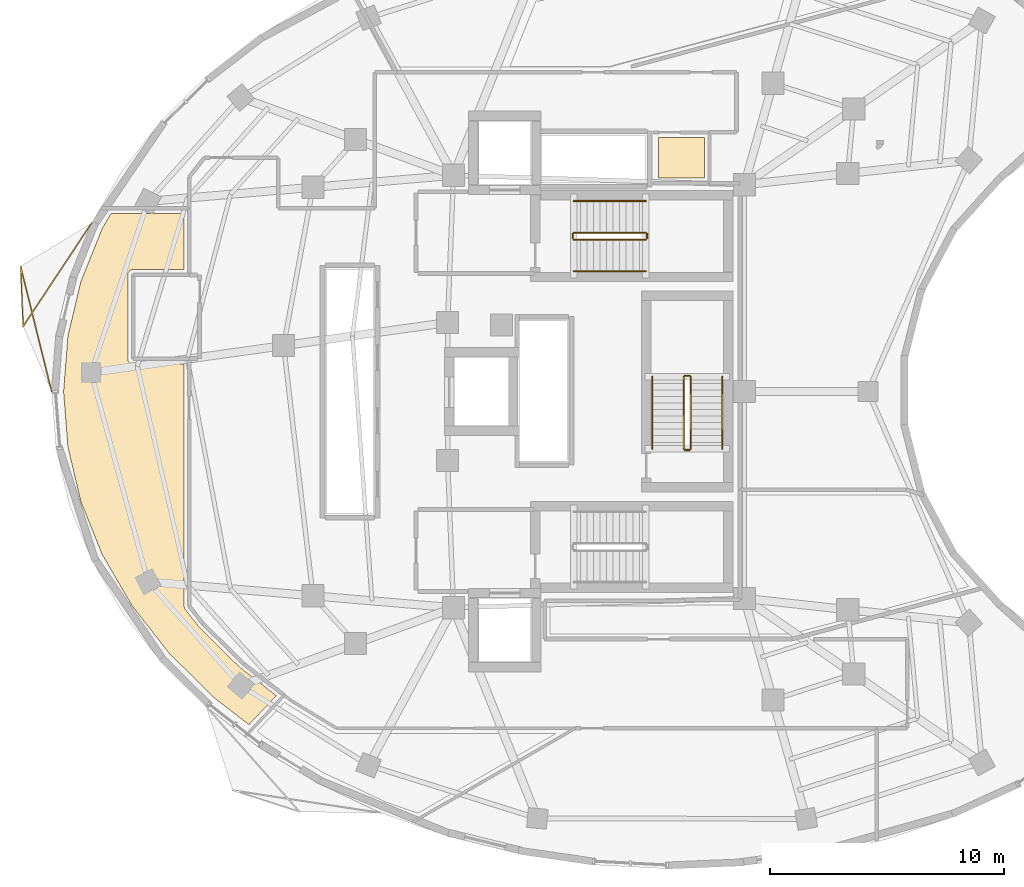
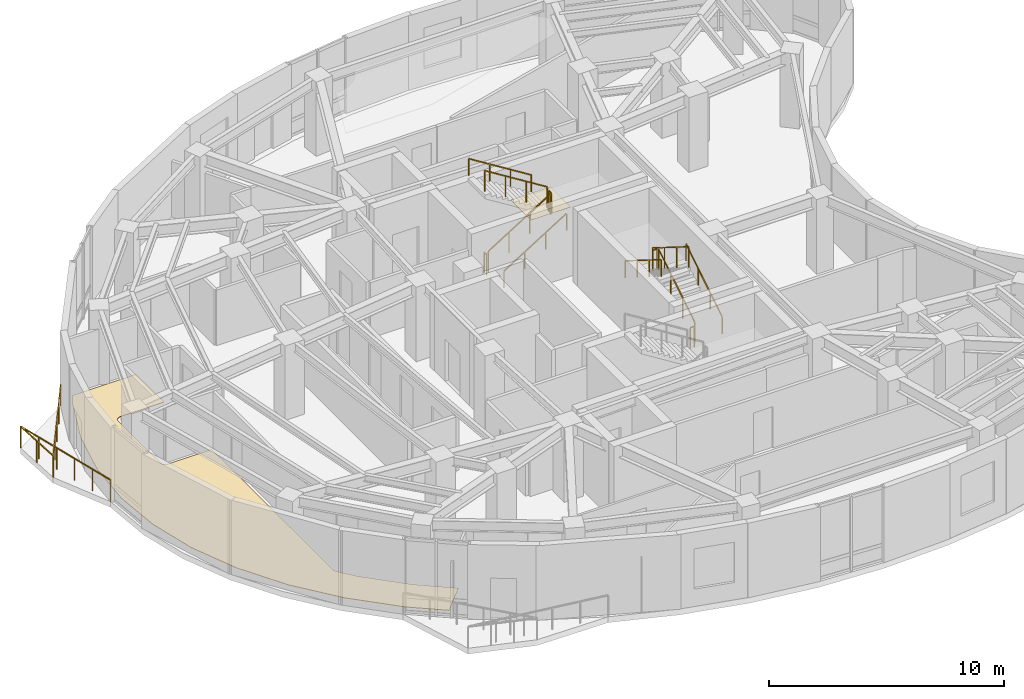
# One storey, part 12 of 13: 13 railings, 2 coverings.
"""IFC4 building model written with IfcOpenShell, lengths in metres."""

import ifcopenshell
import ifcopenshell.guid

model = None  # the IFC model being written
_history = None  # IfcOwnerHistory: only IFC2X3 demands one
_inside = {}  # id of a spatial element -> (the spatial element, [elements in it])
_under = {}  # id of a project, library or spatial element -> (it, [spatial elements below it])
_declared = {}  # id of a project -> (the project, [libraries it declares])
_typed = {}  # id of a type object -> (the type object, [elements of that type])
_made_of = {}  # id of a material, layer set ... -> (it, [elements and type objects made of it])


def new_model(schema):
    """Start an empty IFC model of exactly this schema.

    Asked for "IFC4X3", IfcOpenShell would pick the latest addendum, in which some entities
    have other attributes; the version numbers below select the first issue.
    IFC2X3 requires an IfcOwnerHistory on every rooted entity: one is made here for all.
    """
    global model, _history
    if schema == "IFC4X3":
        model = ifcopenshell.file(schema_version=(4, 3, 0, 0))
    else:
        model = ifcopenshell.file(schema=schema)
    _inside.clear()
    _under.clear()
    _declared.clear()
    _typed.clear()
    _made_of.clear()
    _history = None
    if model.schema == "IFC2X3":
        org = make("IfcOrganization", Name="unknown")
        user = make(
            "IfcPersonAndOrganization",
            ThePerson=make("IfcPerson", FamilyName="unknown"),
            TheOrganization=org,
        )
        app = make(
            "IfcApplication",
            ApplicationDeveloper=org,
            Version="unknown",
            ApplicationFullName="unknown",
            ApplicationIdentifier="unknown",
        )
        _history = make(
            "IfcOwnerHistory",
            OwningUser=user,
            OwningApplication=app,
            ChangeAction="ADDED",
            CreationDate=0,
        )
    return model


def make(cls, **values):
    """One entity of the class cls with the attributes given. An attribute that is None is left unset."""
    return model.create_entity(
        cls, **{name: value for name, value in values.items() if value is not None}
    )


def rooted(cls, **values):
    """An entity with a GlobalId (a new one), such as an element, a storey or a relation."""
    return make(cls, GlobalId=ifcopenshell.guid.new(), OwnerHistory=_history, **values)


def si_unit(unit_type, name, prefix=None):
    """IfcSIUnit, for example si_unit("LENGTHUNIT", "METRE", prefix="MILLI")."""
    return make("IfcSIUnit", UnitType=unit_type, Prefix=prefix, Name=name)


def assignment(units):
    """IfcUnitAssignment: the units of a project."""
    return None if units is None else make("IfcUnitAssignment", Units=units)


def point(xyz):
    """IfcCartesianPoint."""
    return None if xyz is None else make("IfcCartesianPoint", Coordinates=xyz)


def direction(xyz):
    """IfcDirection."""
    return None if xyz is None else make("IfcDirection", DirectionRatios=xyz)


def frame(location, z_axis=None, x_axis=None):
    """IfcAxis2Placement3D, a coordinate frame: its origin and axes. An axis left out is left unset."""
    return make(
        "IfcAxis2Placement3D",
        Location=point(location),
        Axis=direction(z_axis),
        RefDirection=direction(x_axis),
    )


def frame_2d(location, x_axis=None):
    """IfcAxis2Placement2D, a coordinate frame in the plane: its origin and x axis."""
    return make(
        "IfcAxis2Placement2D", Location=point(location), RefDirection=direction(x_axis)
    )


def origin():
    """The frame at (0, 0, 0) with its axes left unset."""
    return frame((0.0, 0.0, 0.0))


def origin_2d():
    """The frame at (0, 0) in the plane with its x axis left unset."""
    return frame_2d((0.0, 0.0))


def place(relative_to, where):
    """IfcLocalPlacement: puts the frame where relative to a parent placement (None: the world)."""
    return make(
        "IfcLocalPlacement", PlacementRelTo=relative_to, RelativePlacement=where
    )


def context(
    kind, dimensions, precision=None, world=None, true_north=None, identifier=None
):
    """IfcGeometricRepresentationContext, for example the 3D "Model" context."""
    return make(
        "IfcGeometricRepresentationContext",
        ContextIdentifier=identifier,
        ContextType=kind,
        CoordinateSpaceDimension=dimensions,
        Precision=precision,
        WorldCoordinateSystem=world,
        TrueNorth=true_north,
    )


def subcontext(parent, identifier, kind, view, scale=None):
    """IfcGeometricRepresentationSubContext, for example "Body" below "Model"."""
    return make(
        "IfcGeometricRepresentationSubContext",
        ContextIdentifier=identifier,
        ContextType=kind,
        ParentContext=parent,
        TargetScale=scale,
        TargetView=view,
    )


def project(units=None, contexts=None):
    """IfcProject with its units and contexts."""
    return rooted(
        "IfcProject",
        Name="project",
        RepresentationContexts=contexts,
        UnitsInContext=assignment(units),
    )


def spatial(cls, under=None, at=None, **own):
    """A site, building, storey or space (cls), placed at a placement, below another one or the project."""
    s = rooted(cls, ObjectPlacement=at, **own)
    if under is not None:
        _under.setdefault(under.id(), (under, []))[1].append(s)
    return s


def polyline(points):
    """IfcPolyline through the points."""
    return make("IfcPolyline", Points=[point(p) for p in points])


def profile(cls, at=None, kind="AREA", **sizes):
    """A parametric profile (cls). Its sizes go by their IFC names, for example OverallWidth=200.0."""
    return make(cls, ProfileType=kind, Position=at, **sizes)


def rectangle(**sizes):
    """IfcRectangleProfileDef."""
    return profile("IfcRectangleProfileDef", **sizes)


def outline(outer, holes=None, kind="AREA"):
    """IfcArbitraryClosedProfileDef: a profile drawn as a closed curve; with holes, ...WithVoids."""
    if holes is None:
        return make("IfcArbitraryClosedProfileDef", ProfileType=kind, OuterCurve=outer)
    return make(
        "IfcArbitraryProfileDefWithVoids",
        ProfileType=kind,
        OuterCurve=outer,
        InnerCurves=holes,
    )


def extrude(swept, where, along, depth):
    """IfcExtrudedAreaSolid: the profile swept, set in the frame where, extruded along a direction by depth."""
    return make(
        "IfcExtrudedAreaSolid",
        SweptArea=swept,
        Position=where,
        ExtrudedDirection=direction(along),
        Depth=depth,
    )


def shape(context_of_items, identifier, shape_type, items):
    """IfcShapeRepresentation: the items that make up one representation, for example the "Body"."""
    return make(
        "IfcShapeRepresentation",
        ContextOfItems=context_of_items,
        RepresentationIdentifier=identifier,
        RepresentationType=shape_type,
        Items=items,
    )


def material(Name=None, Category=None):
    """IfcMaterial."""
    return make("IfcMaterial", Name=Name, Category=Category)


def layer(
    of_material, thickness, ventilated=None, Name=None, Category=None, Priority=None
):
    """IfcMaterialLayer: one layer of a wall or slab, of a material (None: an air gap)."""
    return make(
        "IfcMaterialLayer",
        Material=of_material,
        LayerThickness=thickness,
        IsVentilated=ventilated,
        Name=Name,
        Category=Category,
        Priority=Priority,
    )


def layer_set(layers, Name=None):
    """IfcMaterialLayerSet."""
    return make("IfcMaterialLayerSet", MaterialLayers=layers, LayerSetName=Name)


def made_of(thing, what):
    """Note that an element or type object is made of a material, layer set ...; save() writes the relation."""
    if what is not None:
        _made_of.setdefault(what.id(), (what, []))[1].append(thing)
    return thing


def type_object(cls, material=None, **own):
    """A type object (cls), such as IfcWallType, which elements share."""
    return made_of(rooted(cls, **own), material)


def element(
    cls,
    number,
    at=None,
    inside=None,
    cuts=None,
    type_object=None,
    material=None,
    context=None,
    identifier="Body",
    shape_type=None,
    held_by="IfcProductDefinitionShape",
    body=None,
    shapes=None,
    **own,
):
    """One element of the class cls, such as IfcWall. Its Tag is "e" and its number.

    at: its placement. inside: the storey or other place that contains it. cuts: it is an
    opening in that element (IfcRelVoidsElement). A single representation is given by context,
    identifier, shape_type and body (its items); several are given by shapes. held_by: the class
    of the entity that holds the representations. save() writes the other relations.
    """
    e = rooted(cls, Tag="e%d" % number, ObjectPlacement=at, **own)
    if body is not None:
        shapes = [shape(context, identifier, shape_type, body)]
    if shapes is not None:
        e.Representation = make(held_by, Representations=shapes)
    if inside is not None:
        _inside.setdefault(inside.id(), (inside, []))[1].append(e)
    if cuts is not None:
        rooted(
            "IfcRelVoidsElement", RelatingBuildingElement=cuts, RelatedOpeningElement=e
        )
    if type_object is not None:
        _typed.setdefault(type_object.id(), (type_object, []))[1].append(e)
    return made_of(e, material)


def aggregate(whole, parts):
    """IfcRelAggregates: a whole, such as a stair, and the parts it consists of."""
    return rooted("IfcRelAggregates", RelatingObject=whole, RelatedObjects=parts)


def save(model, path):
    """Write the relations noted so far, then the file.

    IfcRelAggregates (storeys below a building ...), IfcRelContainedInSpatialStructure (elements
    in a storey), IfcRelDefinesByType, IfcRelAssociatesMaterial and IfcRelDeclares: one each for
    every whole, place, type object, material and project.
    """
    for whole, parts in _under.values():
        aggregate(whole, parts)
    for where, things in _inside.values():
        rooted(
            "IfcRelContainedInSpatialStructure",
            RelatedElements=things,
            RelatingStructure=where,
        )
    for kind, things in _typed.values():
        rooted("IfcRelDefinesByType", RelatedObjects=things, RelatingType=kind)
    for what, things in _made_of.values():
        rooted("IfcRelAssociatesMaterial", RelatedObjects=things, RelatingMaterial=what)
    for by, libraries in _declared.values():
        rooted("IfcRelDeclares", RelatingContext=by, RelatedDefinitions=libraries)
    model.write(path)


model = new_model("IFC4")

# Units and contexts
model_context = context("Model", 3, precision=1e-05, world=origin(), true_north=direction((0.0, 1.0)))
body_context = subcontext(model_context, "Body", "Model", "MODEL_VIEW")
ifc_project = project(units=[si_unit("LENGTHUNIT", "METRE"), si_unit("AREAUNIT", "SQUARE_METRE"), si_unit("VOLUMEUNIT", "CUBIC_METRE"), si_unit("PLANEANGLEUNIT", "RADIAN"), si_unit("MASSUNIT", "GRAM", prefix="KILO")], contexts=[model_context])

# Site, building, storey
site_placement = place(None, origin())
site = spatial("IfcSite", under=ifc_project, at=site_placement, CompositionType="ELEMENT")
building_placement = place(site_placement, origin())
building = spatial("IfcBuilding", under=site, at=building_placement, Name="Korentha Bioscience Tower", CompositionType="ELEMENT")
storey_placement = place(building_placement, frame((0.0, 0.0, 273.0)))
storey = spatial("IfcBuildingStorey", under=building, at=storey_placement, Name="L63", CompositionType="ELEMENT", Elevation=273.0)

# Covering
ifc_material_1 = material(Name="Vitrified Porcelain Tile", Category="ceramic")
ifc_layer_1 = layer(ifc_material_1, 0.014892578125, Name="Vitrified Porcelain Tile")
ifc_layer_set_1 = layer_set([ifc_layer_1], Name="Vitrified Porcelain Tile (FL-CER)")
covering_type_1 = type_object("IfcCoveringType", Name="Anti-Slip Ceramic Wet-Room Tile Flooring 15", PredefinedType="FLOORING", material=ifc_layer_set_1)
covering_1_placement = place(storey_placement, origin())
element("IfcCovering", 1, at=covering_1_placement, inside=storey, type_object=covering_type_1, Name="L63 Accessible Staff WC Floor Finish", PredefinedType="FLOORING", context=body_context, shape_type="SweptSolid", body=[
    extrude(outline(polyline([(33.8701171875, 36.1298828125), (33.8701171875, 37.8701171875), (35.830078125, 37.8701171875), (35.830078125, 36.1298828125), (33.8701171875, 36.1298828125)])), origin(), (0.0, 0.0, 1.0), 0.014892578125),
])

# Railings
ifc_material_2 = material(Name="Stainless Steel 304", Category="steel")
railing_type_1 = type_object("IfcRailingType", Name="Brushed Stainless Stair Handrail 900", PredefinedType="HANDRAIL", material=ifc_material_2)
railing_1_placement = place(storey_placement, frame((30.25, 32.14990234375, 0.175048828125)))
element("IfcRailing", 2, at=railing_1_placement, inside=storey, type_object=railing_type_1, Name="L63 ST-1 stair handrail 1", PredefinedType="HANDRAIL", context=body_context, shape_type="SweptSolid", body=[
    extrude(rectangle(XDim=0.048095703125, YDim=0.048095703125, at=origin_2d()), frame((0.0, 0.0, 0.8759765625), z_axis=(0.847998304005, 0.0, 0.529998940003), x_axis=(0.0, 1.0, 0.0)), (0.0, 0.0, 1.0), 3.632080078125),
    extrude(rectangle(XDim=0.0419921875, YDim=0.0419921875, at=origin_2d()), origin(), (0.0, 0.0, 1.0), 0.851806640625),
    extrude(rectangle(XDim=0.0419921875, YDim=0.0419921875, at=origin_2d()), frame((1.026611328125, 0.0, 0.6416015625)), (0.0, 0.0, 1.0), 0.851806640625),
    extrude(rectangle(XDim=0.0419921875, YDim=0.0419921875, at=origin_2d()), frame((2.053466796875, 0.0, 1.283447265625)), (0.0, 0.0, 1.0), 0.851806640625),
    extrude(rectangle(XDim=0.0419921875, YDim=0.0419921875, at=origin_2d()), frame((3.080078125, 0.0, 1.925048828125)), (0.0, 0.0, 1.0), 0.851806640625),
])
railing_2_placement = place(storey_placement, frame((33.330078125, 35.14990234375, 2.27490234375)))
element("IfcRailing", 3, at=railing_2_placement, inside=storey, type_object=railing_type_1, Name="L63 ST-1 stair handrail 2", PredefinedType="HANDRAIL", context=body_context, shape_type="SweptSolid", body=[
    extrude(rectangle(XDim=0.048095703125, YDim=0.048095703125, at=origin_2d()), frame((0.0, 0.0, 0.8759765625), z_axis=(-0.847998304005, 0.0, 0.529998940003), x_axis=(0.0, -1.0, 0.0)), (0.0, 0.0, 1.0), 3.632080078125),
    extrude(rectangle(XDim=0.0419921875, YDim=0.0419921875, at=origin_2d()), origin(), (0.0, 0.0, 1.0), 0.851806640625),
    extrude(rectangle(XDim=0.0419921875, YDim=0.0419921875, at=origin_2d()), frame((-1.026611328125, 0.0, 0.6416015625)), (0.0, 0.0, 1.0), 0.851806640625),
    extrude(rectangle(XDim=0.0419921875, YDim=0.0419921875, at=origin_2d()), frame((-2.053466796875, 0.0, 1.283447265625)), (0.0, 0.0, 1.0), 0.851806640625),
    extrude(rectangle(XDim=0.0419921875, YDim=0.0419921875, at=origin_2d()), frame((-3.080078125, 0.0, 1.925048828125)), (0.0, 0.0, 1.0), 0.851806640625),
])
railing_3_placement = place(storey_placement, frame((36.60009765625, 24.550048828125, 0.175048828125)))
element("IfcRailing", 4, at=railing_3_placement, inside=storey, type_object=railing_type_1, Name="L63 ST-3 stair handrail 1", PredefinedType="HANDRAIL", context=body_context, shape_type="SweptSolid", body=[
    extrude(rectangle(XDim=0.048095703125, YDim=0.048095703125, at=origin_2d()), frame((0.0, 0.0, 0.8759765625), z_axis=(0.0, 0.847979421464, 0.530029150871), x_axis=(-1.0, 0.0, 0.0)), (0.0, 0.0, 1.0), 3.632080078125),
    extrude(rectangle(XDim=0.0419921875, YDim=0.0419921875, at=origin_2d()), origin(), (0.0, 0.0, 1.0), 0.851806640625),
    extrude(rectangle(XDim=0.0419921875, YDim=0.0419921875, at=origin_2d()), frame((0.0, 1.026611328125, 0.6416015625)), (0.0, 0.0, 1.0), 0.851806640625),
    extrude(rectangle(XDim=0.0419921875, YDim=0.0419921875, at=origin_2d()), frame((0.0, 2.05322265625, 1.283447265625)), (0.0, 0.0, 1.0), 0.851806640625),
    extrude(rectangle(XDim=0.0419921875, YDim=0.0419921875, at=origin_2d()), frame((0.0, 3.079833984375, 1.925048828125)), (0.0, 0.0, 1.0), 0.851806640625),
])
railing_4_placement = place(storey_placement, frame((33.60009765625, 27.6298828125, 2.27490234375)))
element("IfcRailing", 5, at=railing_4_placement, inside=storey, type_object=railing_type_1, Name="L63 ST-3 stair handrail 2", PredefinedType="HANDRAIL", context=body_context, shape_type="SweptSolid", body=[
    extrude(rectangle(XDim=0.048095703125, YDim=0.048095703125, at=origin_2d()), frame((0.0, 0.0, 0.8759765625), z_axis=(0.0, -0.847979421464, 0.530029150871), x_axis=(1.0, 0.0, 0.0)), (0.0, 0.0, 1.0), 3.632080078125),
    extrude(rectangle(XDim=0.0419921875, YDim=0.0419921875, at=origin_2d()), origin(), (0.0, 0.0, 1.0), 0.851806640625),
    extrude(rectangle(XDim=0.0419921875, YDim=0.0419921875, at=origin_2d()), frame((0.0, -1.026611328125, 0.6416015625)), (0.0, 0.0, 1.0), 0.851806640625),
    extrude(rectangle(XDim=0.0419921875, YDim=0.0419921875, at=origin_2d()), frame((0.0, -2.05322265625, 1.283447265625)), (0.0, 0.0, 1.0), 0.851806640625),
    extrude(rectangle(XDim=0.0419921875, YDim=0.0419921875, at=origin_2d()), frame((0.0, -3.079833984375, 1.925048828125)), (0.0, 0.0, 1.0), 0.851806640625),
])

# Covering
ifc_material_3 = material(Name="Honed Travertine Limestone", Category="masonry")
ifc_layer_2 = layer(ifc_material_3, 0.02490234375, Name="Honed Travertine Limestone")
ifc_layer_set_2 = layer_set([ifc_layer_2], Name="Honed Travertine Limestone (FL-STN)")
covering_type_2 = type_object("IfcCoveringType", Name="Honed Travertine Lobby Stone Flooring 25", PredefinedType="FLOORING", material=ifc_layer_set_2)
covering_2_placement = place(storey_placement, origin())
element("IfcCovering", 6, at=covering_2_placement, inside=storey, type_object=covering_type_2, Name="L63 Sky-Lobby Passenger Transfer Concourse 07 Floor Finish", PredefinedType="FLOORING", context=body_context, shape_type="SweptSolid", body=[
    extrude(outline(polyline([(8.606201171875, 29.369140625), (9.160400390625, 31.70654296875), (10.076904296875, 33.9794921875), (10.447265625, 34.615966796875), (13.570068359375, 34.615966796875), (13.570068359375, 32.22998046875), (11.38818359375, 32.229736328125), (11.2626953125, 32.184326171875), (11.18359375, 32.077880859375), (11.169921875, 32.0), (11.17236328125, 28.36669921875), (11.1923828125, 28.30126953125), (11.2451171875, 28.22998046875), (11.302001953125, 28.19189453125), (11.38818359375, 28.17041015625), (13.570068359375, 28.169921875), (13.572509765625, 17.802001953125), (13.612548828125, 17.701904296875), (14.21923828125, 16.926025390625), (15.97265625, 15.193115234375), (17.52294921875, 13.989990234375), (16.348876953125, 12.750244140625), (14.860595703125, 13.902099609375), (12.9462890625, 15.79345703125), (11.344482421875, 17.8427734375), (10.076904296875, 20.02001953125), (9.160400390625, 22.293212890625), (8.606201171875, 24.630615234375), (8.4208984375, 26.995361328125), (8.606201171875, 29.369140625)])), origin(), (0.0, 0.0, 1.0), 0.02490234375),
])

# Railings
ifc_material_4 = material(Name="Laminated Tempered Safety Glass", Category="glass")
railing_type_2 = type_object("IfcRailingType", Name="Laminated Glass Balcony Guardrail 1150", PredefinedType="BALUSTRADE", material=ifc_material_4)
railing_5_placement = place(storey_placement, frame((9.61767578125, 34.20458984375, 0.0)))
element("IfcRailing", 7, at=railing_5_placement, inside=storey, type_object=railing_type_2, Name="L63 Balcony Guardrail 02", PredefinedType="BALUSTRADE", context=body_context, shape_type="SweptSolid", body=[
    extrude(rectangle(XDim=0.048095703125, YDim=0.048095703125, at=origin_2d()), frame((0.0, 0.0, 1.1259765625), z_axis=(-0.552137133001, -0.833753312654, 0.0), x_axis=(0.833753312654, -0.552137133001, 0.0)), (0.0, 0.0, 1.0), 5.302978515625),
    extrude(rectangle(XDim=0.048095703125, YDim=0.048095703125, at=origin_2d()), frame((-2.927978515625, -4.42138671875, 1.1259765625), z_axis=(-0.042158578106, 0.999110931925, 0.0), x_axis=(-0.999110931925, -0.042158578106, 0.0)), (0.0, 0.0, 1.0), 2.576904296875),
    extrude(rectangle(XDim=0.048095703125, YDim=0.048095703125, at=origin_2d()), frame((-3.03662109375, -1.8466796875, 1.1259765625), z_axis=(0.240557855042, -0.970634801755, 0.0), x_axis=(0.970634801755, 0.240557855042, 0.0)), (0.0, 0.0, 1.0), 5.52001953125),
    extrude(rectangle(XDim=0.0419921875, YDim=0.0419921875, at=origin_2d()), origin(), (0.0, 0.0, 1.0), 1.101806640625),
    extrude(rectangle(XDim=0.0419921875, YDim=0.0419921875, at=origin_2d()), frame((-0.73193359375, -1.10546875, 0.0)), (0.0, 0.0, 1.0), 1.101806640625),
    extrude(rectangle(XDim=0.0419921875, YDim=0.0419921875, at=origin_2d()), frame((-1.4638671875, -2.210693359375, 0.0)), (0.0, 0.0, 1.0), 1.101806640625),
    extrude(rectangle(XDim=0.0419921875, YDim=0.0419921875, at=origin_2d()), frame((-2.196044921875, -3.31591796875, 0.0)), (0.0, 0.0, 1.0), 1.101806640625),
    extrude(rectangle(XDim=0.0419921875, YDim=0.0419921875, at=origin_2d()), frame((-2.927978515625, -4.42138671875, 0.0)), (0.0, 0.0, 1.0), 1.101806640625),
    extrude(rectangle(XDim=0.0419921875, YDim=0.0419921875, at=origin_2d()), frame((-2.982421875, -3.134033203125, 0.0)), (0.0, 0.0, 1.0), 1.101806640625),
    extrude(rectangle(XDim=0.0419921875, YDim=0.0419921875, at=origin_2d()), frame((-3.03662109375, -1.8466796875, 0.0)), (0.0, 0.0, 1.0), 1.101806640625),
    extrude(rectangle(XDim=0.0419921875, YDim=0.0419921875, at=origin_2d()), frame((-2.77099609375, -2.918212890625, 0.0)), (0.0, 0.0, 1.0), 1.101806640625),
    extrude(rectangle(XDim=0.0419921875, YDim=0.0419921875, at=origin_2d()), frame((-2.50537109375, -3.98974609375, 0.0)), (0.0, 0.0, 1.0), 1.101806640625),
    extrude(rectangle(XDim=0.0419921875, YDim=0.0419921875, at=origin_2d()), frame((-2.239990234375, -5.0615234375, 0.0)), (0.0, 0.0, 1.0), 1.101806640625),
    extrude(rectangle(XDim=0.0419921875, YDim=0.0419921875, at=origin_2d()), frame((-1.974365234375, -6.133056640625, 0.0)), (0.0, 0.0, 1.0), 1.101806640625),
    extrude(rectangle(XDim=0.0419921875, YDim=0.0419921875, at=origin_2d()), frame((-1.708740234375, -7.20458984375, 0.0)), (0.0, 0.0, 1.0), 1.101806640625),
])
ifc_material_5 = material(Name="Painted Steel S275", Category="steel")
railing_type_3 = type_object("IfcRailingType", Name="Painted Steel Stair Well Guardrail 1100", PredefinedType="GUARDRAIL", material=ifc_material_5)
railing_6_placement = place(storey_placement, frame((30.25, 33.5, 0.175048828125)))
element("IfcRailing", 8, at=railing_6_placement, inside=storey, type_object=railing_type_3, Name="L63 ST-1 stair guard 1", PredefinedType="GUARDRAIL", context=body_context, shape_type="SweptSolid", body=[
    extrude(rectangle(XDim=0.048095703125, YDim=0.048095703125, at=origin_2d()), frame((0.0, 0.0, 1.076171875), z_axis=(0.847998304005, 0.0, 0.529998940003), x_axis=(0.0, 1.0, 0.0)), (0.0, 0.0, 1.0), 3.632080078125),
    extrude(rectangle(XDim=0.0419921875, YDim=0.0419921875, at=origin_2d()), origin(), (0.0, 0.0, 1.0), 1.052001953125),
    extrude(rectangle(XDim=0.0419921875, YDim=0.0419921875, at=origin_2d()), frame((1.026611328125, 0.0, 0.6416015625)), (0.0, 0.0, 1.0), 1.052001953125),
    extrude(rectangle(XDim=0.0419921875, YDim=0.0419921875, at=origin_2d()), frame((2.053466796875, 0.0, 1.283447265625)), (0.0, 0.0, 1.0), 1.052001953125),
    extrude(rectangle(XDim=0.0419921875, YDim=0.0419921875, at=origin_2d()), frame((3.080078125, 0.0, 1.925048828125)), (0.0, 0.0, 1.0), 1.052001953125),
])
railing_7_placement = place(storey_placement, frame((33.3798828125, 33.550048828125, 2.10009765625)))
element("IfcRailing", 9, at=railing_7_placement, inside=storey, type_object=railing_type_3, Name="L63 ST-1 stair guard 2", PredefinedType="GUARDRAIL", context=body_context, shape_type="SweptSolid", body=[
    extrude(rectangle(XDim=0.048095703125, YDim=0.048095703125, at=origin_2d()), frame((0.0, 0.0, 1.076171875), z_axis=(0.0, 1.0, 0.0), x_axis=(-1.0, 0.0, 0.0)), (0.0, 0.0, 1.0), 0.199951171875),
    extrude(rectangle(XDim=0.0419921875, YDim=0.0419921875, at=origin_2d()), origin(), (0.0, 0.0, 1.0), 1.052001953125),
    extrude(rectangle(XDim=0.0419921875, YDim=0.0419921875, at=origin_2d()), frame((0.0, 0.199951171875, 0.0)), (0.0, 0.0, 1.0), 1.052001953125),
])
railing_8_placement = place(storey_placement, frame((33.330078125, 33.800048828125, 2.27490234375)))
element("IfcRailing", 10, at=railing_8_placement, inside=storey, type_object=railing_type_3, Name="L63 ST-1 stair guard 3", PredefinedType="GUARDRAIL", context=body_context, shape_type="SweptSolid", body=[
    extrude(rectangle(XDim=0.048095703125, YDim=0.048095703125, at=origin_2d()), frame((0.0, 0.0, 1.076171875), z_axis=(-0.847998304005, 0.0, 0.529998940003), x_axis=(0.0, -1.0, 0.0)), (0.0, 0.0, 1.0), 3.632080078125),
    extrude(rectangle(XDim=0.0419921875, YDim=0.0419921875, at=origin_2d()), origin(), (0.0, 0.0, 1.0), 1.052001953125),
    extrude(rectangle(XDim=0.0419921875, YDim=0.0419921875, at=origin_2d()), frame((-1.026611328125, 0.0, 0.6416015625)), (0.0, 0.0, 1.0), 1.052001953125),
    extrude(rectangle(XDim=0.0419921875, YDim=0.0419921875, at=origin_2d()), frame((-2.053466796875, 0.0, 1.283447265625)), (0.0, 0.0, 1.0), 1.052001953125),
    extrude(rectangle(XDim=0.0419921875, YDim=0.0419921875, at=origin_2d()), frame((-3.080078125, 0.0, 1.925048828125)), (0.0, 0.0, 1.0), 1.052001953125),
])
railing_9_placement = place(storey_placement, frame((30.199951171875, 33.550048828125, 0.0)))
element("IfcRailing", 11, at=railing_9_placement, inside=storey, type_object=railing_type_3, Name="L63 ST-1 stair guard 4", PredefinedType="GUARDRAIL", context=body_context, shape_type="SweptSolid", body=[
    extrude(rectangle(XDim=0.048095703125, YDim=0.048095703125, at=origin_2d()), frame((0.0, 0.0, 1.076171875), z_axis=(0.0, 1.0, 0.0), x_axis=(-1.0, 0.0, 0.0)), (0.0, 0.0, 1.0), 0.199951171875),
    extrude(rectangle(XDim=0.0419921875, YDim=0.0419921875, at=origin_2d()), origin(), (0.0, 0.0, 1.0), 1.052001953125),
    extrude(rectangle(XDim=0.0419921875, YDim=0.0419921875, at=origin_2d()), frame((0.0, 0.199951171875, 0.0)), (0.0, 0.0, 1.0), 1.052001953125),
])
railing_10_placement = place(storey_placement, frame((35.25, 24.550048828125, 0.175048828125)))
element("IfcRailing", 12, at=railing_10_placement, inside=storey, type_object=railing_type_3, Name="L63 ST-3 stair guard 1", PredefinedType="GUARDRAIL", context=body_context, shape_type="SweptSolid", body=[
    extrude(rectangle(XDim=0.048095703125, YDim=0.048095703125, at=origin_2d()), frame((0.0, 0.0, 1.076171875), z_axis=(0.0, 0.847979421464, 0.530029150871), x_axis=(-1.0, 0.0, 0.0)), (0.0, 0.0, 1.0), 3.632080078125),
    extrude(rectangle(XDim=0.0419921875, YDim=0.0419921875, at=origin_2d()), origin(), (0.0, 0.0, 1.0), 1.052001953125),
    extrude(rectangle(XDim=0.0419921875, YDim=0.0419921875, at=origin_2d()), frame((0.0, 1.026611328125, 0.6416015625)), (0.0, 0.0, 1.0), 1.052001953125),
    extrude(rectangle(XDim=0.0419921875, YDim=0.0419921875, at=origin_2d()), frame((0.0, 2.05322265625, 1.283447265625)), (0.0, 0.0, 1.0), 1.052001953125),
    extrude(rectangle(XDim=0.0419921875, YDim=0.0419921875, at=origin_2d()), frame((0.0, 3.079833984375, 1.925048828125)), (0.0, 0.0, 1.0), 1.052001953125),
])
railing_11_placement = place(storey_placement, frame((35.199951171875, 27.679931640625, 2.10009765625)))
element("IfcRailing", 13, at=railing_11_placement, inside=storey, type_object=railing_type_3, Name="L63 ST-3 stair guard 2", PredefinedType="GUARDRAIL", context=body_context, shape_type="SweptSolid", body=[
    extrude(rectangle(XDim=0.048095703125, YDim=0.048095703125, at=origin_2d()), frame((0.0, 0.0, 1.076171875), z_axis=(-1.0, 0.0, 0.0), x_axis=(0.0, -1.0, 0.0)), (0.0, 0.0, 1.0), 0.199951171875),
    extrude(rectangle(XDim=0.0419921875, YDim=0.0419921875, at=origin_2d()), origin(), (0.0, 0.0, 1.0), 1.052001953125),
    extrude(rectangle(XDim=0.0419921875, YDim=0.0419921875, at=origin_2d()), frame((-0.199951171875, 0.0, 0.0)), (0.0, 0.0, 1.0), 1.052001953125),
])
railing_12_placement = place(storey_placement, frame((34.949951171875, 27.6298828125, 2.27490234375)))
element("IfcRailing", 14, at=railing_12_placement, inside=storey, type_object=railing_type_3, Name="L63 ST-3 stair guard 3", PredefinedType="GUARDRAIL", context=body_context, shape_type="SweptSolid", body=[
    extrude(rectangle(XDim=0.048095703125, YDim=0.048095703125, at=origin_2d()), frame((0.0, 0.0, 1.076171875), z_axis=(0.0, -0.847979421464, 0.530029150871), x_axis=(1.0, 0.0, 0.0)), (0.0, 0.0, 1.0), 3.632080078125),
    extrude(rectangle(XDim=0.0419921875, YDim=0.0419921875, at=origin_2d()), origin(), (0.0, 0.0, 1.0), 1.052001953125),
    extrude(rectangle(XDim=0.0419921875, YDim=0.0419921875, at=origin_2d()), frame((0.0, -1.026611328125, 0.6416015625)), (0.0, 0.0, 1.0), 1.052001953125),
    extrude(rectangle(XDim=0.0419921875, YDim=0.0419921875, at=origin_2d()), frame((0.0, -2.05322265625, 1.283447265625)), (0.0, 0.0, 1.0), 1.052001953125),
    extrude(rectangle(XDim=0.0419921875, YDim=0.0419921875, at=origin_2d()), frame((0.0, -3.079833984375, 1.925048828125)), (0.0, 0.0, 1.0), 1.052001953125),
])
railing_13_placement = place(storey_placement, frame((35.199951171875, 24.5, 0.0)))
element("IfcRailing", 15, at=railing_13_placement, inside=storey, type_object=railing_type_3, Name="L63 ST-3 stair guard 4", PredefinedType="GUARDRAIL", context=body_context, shape_type="SweptSolid", body=[
    extrude(rectangle(XDim=0.048095703125, YDim=0.048095703125, at=origin_2d()), frame((0.0, 0.0, 1.076171875), z_axis=(-1.0, 0.0, 0.0), x_axis=(0.0, -1.0, 0.0)), (0.0, 0.0, 1.0), 0.199951171875),
    extrude(rectangle(XDim=0.0419921875, YDim=0.0419921875, at=origin_2d()), origin(), (0.0, 0.0, 1.0), 1.052001953125),
    extrude(rectangle(XDim=0.0419921875, YDim=0.0419921875, at=origin_2d()), frame((-0.199951171875, 0.0, 0.0)), (0.0, 0.0, 1.0), 1.052001953125),
])

save(model, "model.ifc")
